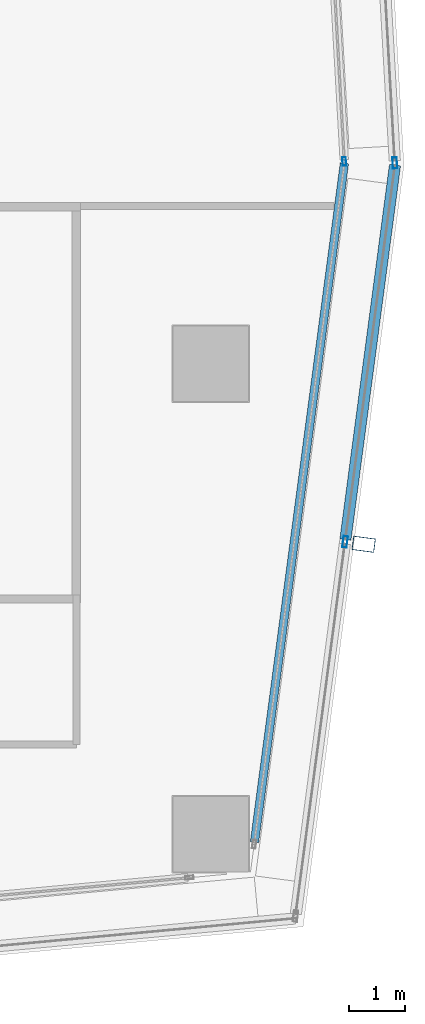
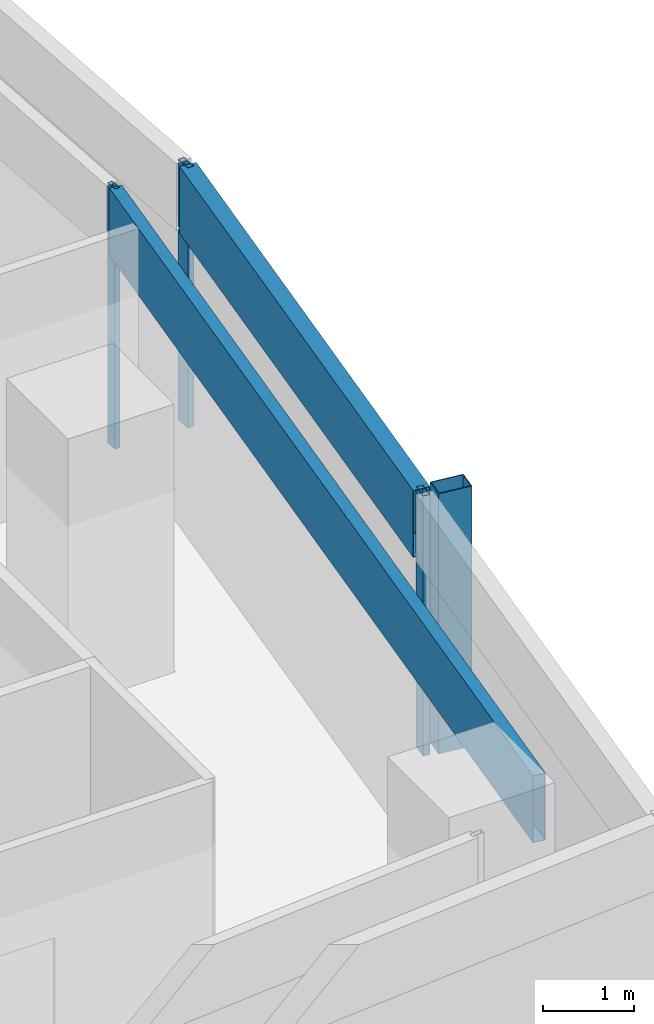
# One storey, part 13 of 39: 6 members, 4 elements without a shape of their own.
"""IFC4 building model written with IfcOpenShell, lengths in metres."""

from ifc_helpers import new_model, si_unit, direction, frame, origin, origin_2d, place, context, subcontext, project, spatial, hollow_rectangle, extrude, material, material_profile, profile_set, type_object, element, aggregate, save


model = new_model("IFC4")

# Units and contexts
model_context = context("Model", 3, precision=1e-05, world=origin(), true_north=direction((0.0, 1.0)))
body_context = subcontext(model_context, "Body", "Model", "MODEL_VIEW")
ifc_project = project(units=[si_unit("LENGTHUNIT", "METRE"), si_unit("AREAUNIT", "SQUARE_METRE"), si_unit("VOLUMEUNIT", "CUBIC_METRE"), si_unit("PLANEANGLEUNIT", "RADIAN"), si_unit("MASSUNIT", "GRAM", prefix="KILO")], contexts=[model_context])

# Site, building, storey
site_placement = place(None, origin())
site = spatial("IfcSite", under=ifc_project, at=site_placement, CompositionType="ELEMENT")
building_placement = place(site_placement, origin())
building = spatial("IfcBuilding", under=site, at=building_placement, Name="Rekha Terrace Tower", CompositionType="ELEMENT")
storey_placement = place(building_placement, frame((0.0, 0.0, 217.699951171875)))
storey = spatial("IfcBuildingStorey", under=building, at=storey_placement, Name="L55", CompositionType="ELEMENT", Elevation=217.699951171875)

# Curtain wall, member
ifc_material_1 = material(Name="Aluminium framing", Category="aluminium")
curtain_wall_type_1 = type_object("IfcCurtainWallType", Name="CW2 double skin outer glazing", PredefinedType="USERDEFINED", material=ifc_material_1)
curtain_wall_1_placement = place(storey_placement, origin())
curtain_wall_1 = element("IfcCurtainWall", 1, at=curtain_wall_1_placement, inside=storey, type_object=curtain_wall_type_1, Name="CW2 double skin outer glazing", ObjectType="DOUBLE SKIN OUTER GLAZING", PredefinedType="USERDEFINED")
ifc_material_2 = material(Name="Steel S355 with fluorocarbon finish", Category="steel")
ifc_material_profile_1 = material_profile(ifc_material_2, hollow_rectangle(XDim=0.25, YDim=0.39990234375, WallThickness=0.012451171875, at=origin_2d()), Name="RHS400x250x12.5")
ifc_profile_set_1 = profile_set([ifc_material_profile_1], Name="Steel S355 with fluorocarbon finish")
member_type_1 = type_object("IfcMemberType", Name="BL1 facade blade RHS 400 x 250", PredefinedType="USERDEFINED", material=ifc_profile_set_1)
member_1_placement = place(storey_placement, frame((61.531005859375, 21.977783203125, 0.0), z_axis=(0.0, 0.0, 1.0), x_axis=(0.131303100637, 0.991342269735, 0.0)))
member_1 = element("IfcMember", 2, at=member_1_placement, type_object=member_type_1, Name="Facade blade", ObjectType="FACADE BLADE", PredefinedType="USERDEFINED", context=body_context, shape_type="SweptSolid", body=[
    extrude(hollow_rectangle(XDim=0.25, YDim=0.39990234375, WallThickness=0.012451171875, at=origin_2d()), origin(), (0.0, 0.0, 1.0), 3.5),
])

curtain_wall_type_2 = type_object("IfcCurtainWallType", Name="CW1 double skin inner glazing", PredefinedType="USERDEFINED", material=ifc_material_1)
curtain_wall_2_placement = place(storey_placement, origin())
curtain_wall_2 = element("IfcCurtainWall", 3, at=curtain_wall_2_placement, inside=storey, type_object=curtain_wall_type_2, Name="CW1 double skin inner glazing", ObjectType="DOUBLE SKIN INNER GLAZING", PredefinedType="USERDEFINED")
ifc_material_3 = material(Name="Aluminium mullion section", Category="aluminium")
ifc_material_profile_2 = material_profile(ifc_material_3, hollow_rectangle(XDim=0.06494140625, YDim=0.14990234375, WallThickness=0.00390625, at=origin_2d()), Name="AL RHS 65x150")
ifc_profile_set_2 = profile_set([ifc_material_profile_2], Name="Aluminium mullion section")
member_type_2 = type_object("IfcMemberType", Name="CW1 mullion RHS 65 x 150", PredefinedType="MULLION", material=ifc_profile_set_2)
member_2_placement = place(storey_placement, frame((61.18408203125, 28.812255859375, 0.0), z_axis=(0.0, 0.0, 1.0), x_axis=(-0.998392782919, -0.05667319486, 0.0)))
member_2 = element("IfcMember", 4, at=member_2_placement, type_object=member_type_2, Name="CW1 mullion 1", PredefinedType="MULLION", context=body_context, shape_type="SweptSolid", body=[
    extrude(hollow_rectangle(XDim=0.06494140625, YDim=0.14990234375, WallThickness=0.00390625, at=origin_2d()), origin(), (0.0, 0.0, 1.0), 3.5),
])
aggregate(curtain_wall_2, [member_2])

curtain_wall_3_placement = place(storey_placement, origin())
curtain_wall_3 = element("IfcCurtainWall", 5, at=curtain_wall_3_placement, inside=storey, type_object=curtain_wall_type_2, Name="CW1 double skin inner glazing", ObjectType="DOUBLE SKIN INNER GLAZING", PredefinedType="USERDEFINED")
ifc_material_4 = material(Name="Insulated aluminium spandrel box", Category="aluminium")
ifc_material_profile_3 = material_profile(ifc_material_4, hollow_rectangle(XDim=0.14990234375, YDim=0.89990234375, WallThickness=0.0029296875, at=origin_2d()), Name="AL SPANDREL BOX 150x900")
ifc_profile_set_3 = profile_set([ifc_material_profile_3], Name="Insulated aluminium spandrel box")
member_type_3 = type_object("IfcMemberType", Name="CW1 spandrel transom 150 x 900", PredefinedType="USERDEFINED", material=ifc_profile_set_3)
member_3_placement = place(storey_placement, frame((59.580322265625, 16.656982421875, 3.050048828125), z_axis=(0.131307111352, 0.991341738508, 0.0), x_axis=(-0.991341738508, 0.131307111352, 0.0)))
member_3 = element("IfcMember", 6, at=member_3_placement, type_object=member_type_3, Name="CW1 spandrel transom 1", ObjectType="TRANSOM", PredefinedType="USERDEFINED", context=body_context, shape_type="SweptSolid", body=[
    extrude(hollow_rectangle(XDim=0.14990234375, YDim=0.89990234375, WallThickness=0.0029296875, at=origin_2d()), origin(), (0.0, 0.0, 1.0), 12.228759765625),
])
aggregate(curtain_wall_3, [member_3])

# Member
ifc_material_profile_4 = material_profile(ifc_material_3, hollow_rectangle(XDim=0.080078125, YDim=0.199951171875, WallThickness=0.00390625, at=origin_2d()), Name="AL RHS 80x200")
ifc_profile_set_4 = profile_set([ifc_material_profile_4], Name="Aluminium mullion section")
member_type_4 = type_object("IfcMemberType", Name="CW2 mullion RHS 80 x 200", PredefinedType="MULLION", material=ifc_profile_set_4)
member_4_placement = place(storey_placement, frame((61.19873046875, 22.021728515625, 0.0), z_axis=(0.0, 0.0, 1.0), x_axis=(-0.991342203187, 0.131303603075, 0.0)))
member_4 = element("IfcMember", 7, at=member_4_placement, type_object=member_type_4, Name="CW2 mullion 2", PredefinedType="MULLION", context=body_context, shape_type="SweptSolid", body=[
    extrude(hollow_rectangle(XDim=0.080078125, YDim=0.199951171875, WallThickness=0.00390625, at=origin_2d()), origin(), (0.0, 0.0, 1.0), 3.5),
])

# Curtain wall, member
curtain_wall_4_placement = place(storey_placement, origin())
curtain_wall_4 = element("IfcCurtainWall", 8, at=curtain_wall_4_placement, inside=storey, type_object=curtain_wall_type_1, Name="CW2 double skin outer glazing", ObjectType="DOUBLE SKIN OUTER GLAZING", PredefinedType="USERDEFINED")
member_5_placement = place(storey_placement, frame((62.087158203125, 28.785888671875, 0.0), z_axis=(0.0, 0.0, 1.0), x_axis=(-0.998392782919, -0.05667319486, 0.0)))
member_5 = element("IfcMember", 9, at=member_5_placement, type_object=member_type_4, Name="CW2 mullion 1", PredefinedType="MULLION", context=body_context, shape_type="SweptSolid", body=[
    extrude(hollow_rectangle(XDim=0.080078125, YDim=0.199951171875, WallThickness=0.00390625, at=origin_2d()), origin(), (0.0, 0.0, 1.0), 3.5),
])
aggregate(curtain_wall_4, [member_5])

# Member
ifc_material_profile_5 = material_profile(ifc_material_4, hollow_rectangle(XDim=0.199951171875, YDim=0.89990234375, WallThickness=0.0029296875, at=origin_2d()), Name="AL SPANDREL BOX 200x900")
ifc_profile_set_5 = profile_set([ifc_material_profile_5], Name="Insulated aluminium spandrel box")
member_type_5 = type_object("IfcMemberType", Name="CW2 spandrel transom 200 x 900", PredefinedType="USERDEFINED", material=ifc_profile_set_5)
member_6_placement = place(storey_placement, frame((61.2041015625, 22.0615234375, 3.050048828125), z_axis=(0.131286165193, 0.991344512684, 0.0), x_axis=(-0.991344512684, 0.131286165193, 0.0)))
member_6 = element("IfcMember", 10, at=member_6_placement, type_object=member_type_5, Name="CW2 spandrel transom 2", ObjectType="TRANSOM", PredefinedType="USERDEFINED", context=body_context, shape_type="SweptSolid", body=[
    extrude(hollow_rectangle(XDim=0.199951171875, YDim=0.89990234375, WallThickness=0.0029296875, at=origin_2d()), origin(), (0.0, 0.0, 1.0), 6.742919921875),
])

aggregate(curtain_wall_1, [member_4, member_6, member_1])

save(model, "model.ifc")
